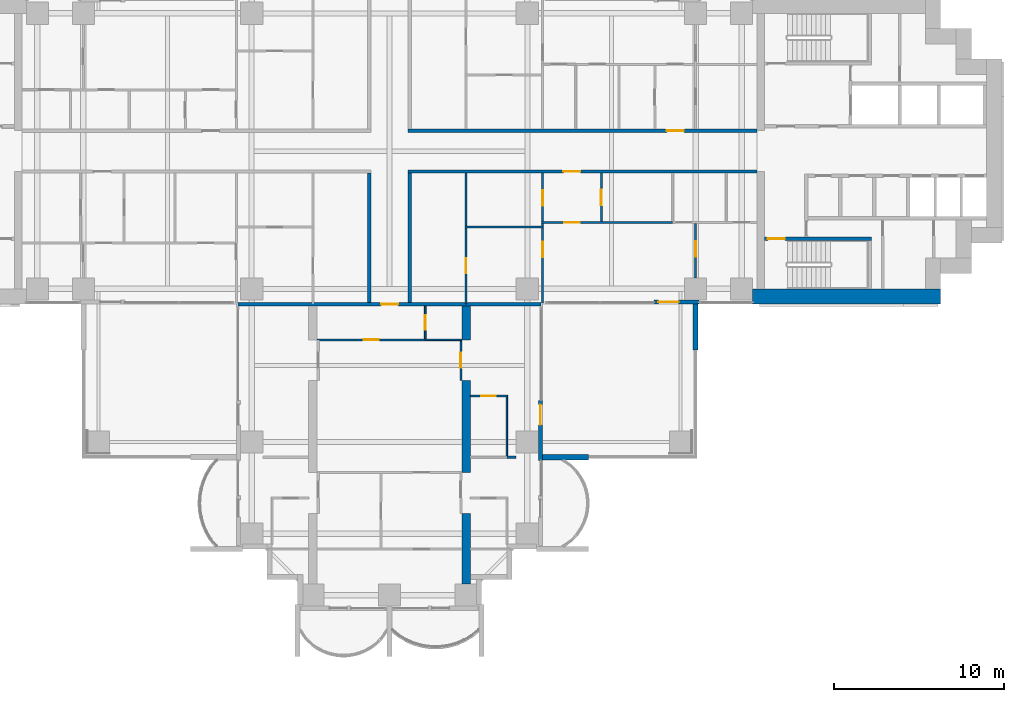
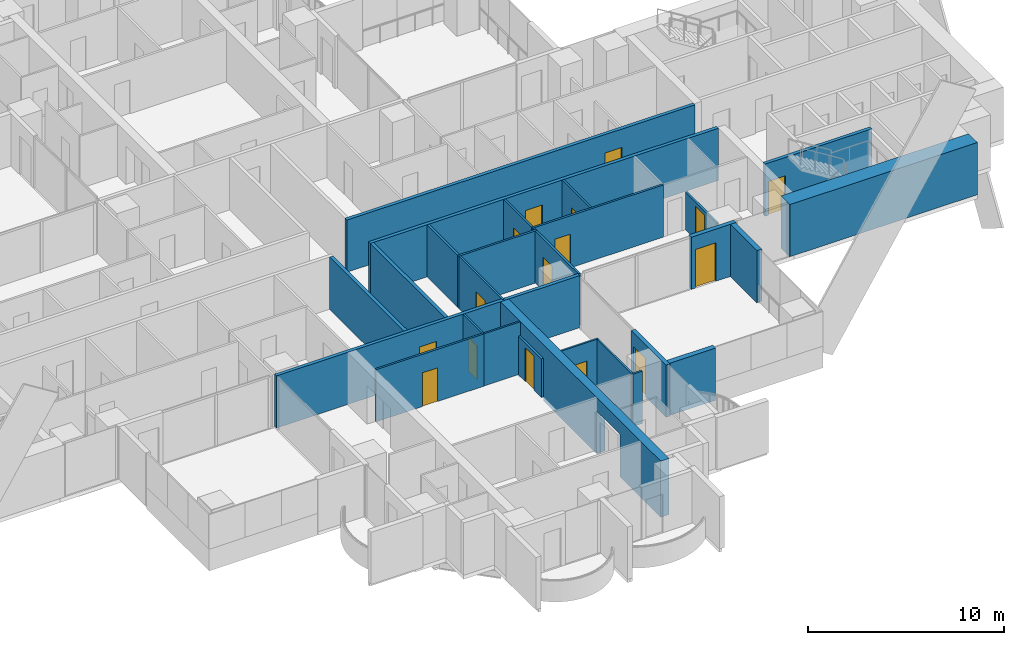
# One storey, part 13 of 23: 25 walls, 16 doors, 16 openings.
"""IFC4 building model written with IfcOpenShell, lengths in metres."""

from ifc_helpers import new_model, si_unit, direction, frame, frame_2d, origin, place, context, subcontext, project, spatial, polyline, rectangle, outline, extrude, material, layer, layer_set, material_profile, profile_set, type_object, element, fill, save


model = new_model("IFC4")

# Units and contexts
model_context = context("Model", 3, precision=1e-05, world=origin(), true_north=direction((0.0, 1.0)))
body_context = subcontext(model_context, "Body", "Model", "MODEL_VIEW")
ifc_project = project(units=[si_unit("LENGTHUNIT", "METRE"), si_unit("AREAUNIT", "SQUARE_METRE"), si_unit("VOLUMEUNIT", "CUBIC_METRE"), si_unit("PLANEANGLEUNIT", "RADIAN"), si_unit("MASSUNIT", "GRAM", prefix="KILO")], contexts=[model_context])

# Site, building, storey
site_placement = place(None, origin())
site = spatial("IfcSite", under=ifc_project, at=site_placement, CompositionType="ELEMENT")
building_placement = place(site_placement, origin())
building = spatial("IfcBuilding", under=site, at=building_placement, Name="Perihelion Cross Residences", CompositionType="ELEMENT")
storey_placement = place(building_placement, frame((0.0, 0.0, 85.5)))
storey = spatial("IfcBuildingStorey", under=building, at=storey_placement, Name="L19", CompositionType="ELEMENT", Elevation=85.5)

# Wall, opening, door
ifc_material_1 = material(Name="Plasterboard partition")
ifc_layer_1 = layer(ifc_material_1, 0.199951171875)
ifc_layer_set_1 = layer_set([ifc_layer_1], Name="Apartment separation wall 200")
wall_type_1 = type_object("IfcWallType", Name="Apartment separation wall 200", PredefinedType="PARTITIONING", material=ifc_layer_set_1)
wall_1_placement = place(storey_placement, frame((1.10009765625, 1.199951171875, 0.0), z_axis=(0.0, 0.0, 1.0), x_axis=(1.0, 0.0, 0.0)))
wall_1 = element("IfcWall", 1, at=wall_1_placement, inside=storey, type_object=wall_type_1, Name="Partition L19 W001", PredefinedType="PARTITIONING", context=body_context, shape_type="SweptSolid", body=[
    extrude(rectangle(XDim=20.5, YDim=0.199951171875, at=frame_2d((10.25, 0.0))), origin(), (0.0, 0.0, 1.0), 3.25),
])
opening_1_placement = place(wall_1_placement, frame((15.199951171875, 0.0, 0.0)))
opening_1 = element("IfcOpeningElement", 2, at=opening_1_placement, cuts=wall_1, Name="Opening L19.A53", PredefinedType="OPENING", context=body_context, shape_type="SweptSolid", body=[
    extrude(rectangle(XDim=1.0, YDim=2.10009765625, at=frame_2d((0.5, 1.050048828125))), frame((0.0, 0.10986328125, 0.0), z_axis=(0.0, -1.0, 0.0), x_axis=(1.0, 0.0, 0.0)), (0.0, 0.0, 1.0), 0.219970703125),
])
ifc_material_2 = material(Name="Timber door leaf", Category="wood")
door_type_1 = type_object("IfcDoorType", Name="Flat entrance door 1000 x 2100", OperationType="SINGLE_SWING_LEFT", PredefinedType="DOOR", material=ifc_material_2)
door_1_placement = place(opening_1_placement, origin())
door_1 = element("IfcDoor", 3, at=door_1_placement, inside=storey, type_object=door_type_1, Name="Door L19.A53", OperationType="SINGLE_SWING_LEFT", OverallHeight=2.10009765625, OverallWidth=1.0, PredefinedType="DOOR", context=body_context, shape_type="SweptSolid", body=[
    extrude(rectangle(XDim=1.0, YDim=2.10009765625, at=frame_2d((0.5, 1.050048828125))), frame((0.0, 0.02490234375, 0.0), z_axis=(0.0, -1.0, 0.0), x_axis=(1.0, 0.0, 0.0)), (0.0, 0.0, 1.0), 0.050048828125),
])
fill(opening_1, door_1)

wall_2_placement = place(storey_placement, frame((21.60009765625, -1.199951171875, 0.0), z_axis=(0.0, 0.0, 1.0), x_axis=(-1.0, 0.0, 0.0)))
wall_2 = element("IfcWall", 4, at=wall_2_placement, inside=storey, type_object=wall_type_1, Name="Partition L19 W003", PredefinedType="PARTITIONING", context=body_context, shape_type="SweptSolid", body=[
    extrude(rectangle(XDim=20.5, YDim=0.199951171875, at=frame_2d((10.25, 0.0))), origin(), (0.0, 0.0, 1.0), 3.25),
])
opening_2_placement = place(wall_2_placement, frame((10.375, 0.0, 0.0)))
opening_2 = element("IfcOpeningElement", 5, at=opening_2_placement, cuts=wall_2, Name="Opening L19.A54", PredefinedType="OPENING", context=body_context, shape_type="SweptSolid", body=[
    extrude(rectangle(XDim=1.0, YDim=2.10009765625, at=frame_2d((0.5, 1.050048828125))), frame((0.0, 0.10986328125, 0.0), z_axis=(0.0, -1.0, 0.0), x_axis=(1.0, 0.0, 0.0)), (0.0, 0.0, 1.0), 0.219970703125),
])
door_2_placement = place(opening_2_placement, origin())
door_2 = element("IfcDoor", 6, at=door_2_placement, inside=storey, type_object=door_type_1, Name="Door L19.A54", OperationType="SINGLE_SWING_RIGHT", OverallHeight=2.10009765625, OverallWidth=1.0, PredefinedType="DOOR", context=body_context, shape_type="SweptSolid", body=[
    extrude(rectangle(XDim=1.0, YDim=2.10009765625, at=frame_2d((0.5, 1.050048828125))), frame((0.0, 0.02490234375, 0.0), z_axis=(0.0, -1.0, 0.0), x_axis=(1.0, 0.0, 0.0)), (0.0, 0.0, 1.0), 0.050048828125),
])
fill(opening_2, door_2)

# Walls
for number, where, z_axis, x_axis, name in (
    (7, (1.199951171875, -1.300048828125, 0.0), (0.0, 0.0, 1.0), (0.0, -1.0, 0.0), "Partition L19 W004"),
    (8, (-1.199951171875, -8.89990234375, 0.0), (0.0, 0.0, 1.0), (0.0, 1.0, 0.0), "Partition L19 W008"),
):
    element("IfcWall", number, at=place(storey_placement, frame(where, z_axis=z_axis, x_axis=x_axis)), inside=storey, type_object=wall_type_1, Name=name, PredefinedType="PARTITIONING", context=body_context, shape_type="SweptSolid", body=[
        extrude(rectangle(XDim=7.599853515625, YDim=0.199951171875, at=frame_2d((3.7998046875, 0.0))), origin(), (0.0, 0.0, 1.0), 3.25),
    ])

# Wall, opening, door
wall_3_placement = place(storey_placement, frame((8.919921875, -9.0, 0.0), z_axis=(0.0, 0.0, 1.0), x_axis=(-1.0, 0.0, 0.0)))
wall_3 = element("IfcWall", 9, at=wall_3_placement, inside=storey, type_object=wall_type_1, Name="Partition L19 W010", PredefinedType="PARTITIONING", context=body_context, shape_type="SweptSolid", body=[
    extrude(rectangle(XDim=17.83984375, YDim=0.199951171875, at=frame_2d((8.919921875, 0.0))), origin(), (0.0, 0.0, 1.0), 3.25),
])
opening_3_placement = place(wall_3_placement, frame((8.419921875, 0.0, 0.0)))
opening_3 = element("IfcOpeningElement", 10, at=opening_3_placement, cuts=wall_3, Name="Opening L19.A44", PredefinedType="OPENING", context=body_context, shape_type="SweptSolid", body=[
    extrude(rectangle(XDim=1.0, YDim=2.10009765625, at=frame_2d((0.5, 1.050048828125))), frame((0.0, 0.10986328125, 0.0), z_axis=(0.0, -1.0, 0.0), x_axis=(1.0, 0.0, 0.0)), (0.0, 0.0, 1.0), 0.219970703125),
])
door_3_placement = place(opening_3_placement, origin())
door_3 = element("IfcDoor", 11, at=door_3_placement, inside=storey, type_object=door_type_1, Name="Door L19.A44", OperationType="SINGLE_SWING_RIGHT", OverallHeight=2.10009765625, OverallWidth=1.0, PredefinedType="DOOR", context=body_context, shape_type="SweptSolid", body=[
    extrude(rectangle(XDim=1.0, YDim=2.10009765625, at=frame_2d((0.5, 1.050048828125))), frame((0.0, 0.02490234375, 0.0), z_axis=(0.0, -1.0, 0.0), x_axis=(1.0, 0.0, 0.0)), (0.0, 0.0, 1.0), 0.050048828125),
])
fill(opening_3, door_3)

ifc_material_3 = material(Name="Concrete C30/37, bronze-clad", Category="concrete")
ifc_layer_2 = layer(ifc_material_3, 0.25)
ifc_layer_set_2 = layer_set([ifc_layer_2], Name="Bronze-clad pier wall 250")
wall_type_2 = type_object("IfcWallType", Name="Bronze-clad pier wall 250", PredefinedType="SOLIDWALL", material=ifc_layer_set_2)
wall_4_placement = place(storey_placement, frame((8.875, -18.199951171875, 0.0), z_axis=(0.0, 0.0, 1.0), x_axis=(0.0, 1.0, 0.0)))
wall_4 = element("IfcWall", 12, at=wall_4_placement, inside=storey, type_object=wall_type_2, Name="Wall FW1 L19 south side east bay 2 pier", PredefinedType="SOLIDWALL", context=body_context, shape_type="SweptSolid", body=[
    extrude(rectangle(XDim=3.550048828125, YDim=0.25, at=frame_2d((1.77490234375, 0.0))), origin(), (0.0, 0.0, 1.0), 3.25),
])
opening_4_placement = place(wall_4_placement, frame((2.10009765625, 0.0, 0.0)))
opening_4 = element("IfcOpeningElement", 13, at=opening_4_placement, cuts=wall_4, Name="Opening L19.E15", PredefinedType="OPENING", context=body_context, shape_type="SweptSolid", body=[
    extrude(rectangle(XDim=1.199951171875, YDim=2.39990234375, at=frame_2d((0.60009765625, 1.199951171875))), frame((0.0, 0.135009765625, 0.0), z_axis=(0.0, -1.0, 0.0), x_axis=(1.0, 0.0, 0.0)), (0.0, 0.0, 1.0), 0.27001953125),
])
ifc_material_4 = material(Name="Bronze anodised aluminium, glazed", Category="aluminium")
door_type_2 = type_object("IfcDoorType", Name="Balcony door 1200 x 2400", OperationType="NOTDEFINED", PredefinedType="DOOR", material=ifc_material_4)
door_4_placement = place(opening_4_placement, origin())
door_4 = element("IfcDoor", 14, at=door_4_placement, inside=storey, type_object=door_type_2, Name="Door L19.E15 south side east bay 2", OperationType="SINGLE_SWING_RIGHT", OverallHeight=2.39990234375, OverallWidth=1.199951171875, PredefinedType="DOOR", context=body_context, shape_type="SweptSolid", body=[
    extrude(rectangle(XDim=1.199951171875, YDim=2.39990234375, at=frame_2d((0.60009765625, 1.199951171875))), frame((0.0, 0.02490234375, 0.0), z_axis=(0.0, -1.0, 0.0), x_axis=(1.0, 0.0, 0.0)), (0.0, 0.0, 1.0), 0.050048828125),
])
fill(opening_4, door_4)

wall_5_placement = place(storey_placement, frame((15.550048828125, -8.875, 0.0), z_axis=(0.0, 0.0, 1.0), x_axis=(1.0, 0.0, 0.0)))
wall_5 = element("IfcWall", 15, at=wall_5_placement, inside=storey, type_object=wall_type_2, Name="Wall FW1 L19 east side south bay 1 pier", PredefinedType="SOLIDWALL", context=body_context, shape_type="SweptSolid", body=[
    extrude(rectangle(XDim=2.64990234375, YDim=0.25, at=frame_2d((1.324951171875, 0.0))), origin(), (0.0, 0.0, 1.0), 3.25),
])
opening_5_placement = place(wall_5_placement, frame((0.25, 0.0, 0.0)))
opening_5 = element("IfcOpeningElement", 16, at=opening_5_placement, cuts=wall_5, Name="Opening L19.E16", PredefinedType="OPENING", context=body_context, shape_type="SweptSolid", body=[
    extrude(rectangle(XDim=1.199951171875, YDim=2.39990234375, at=frame_2d((0.60009765625, 1.199951171875))), frame((0.0, 0.135009765625, 0.0), z_axis=(0.0, -1.0, 0.0), x_axis=(1.0, 0.0, 0.0)), (0.0, 0.0, 1.0), 0.27001953125),
])
door_5_placement = place(opening_5_placement, origin())
door_5 = element("IfcDoor", 17, at=door_5_placement, inside=storey, type_object=door_type_2, Name="Door L19.E16 east side south bay 1", OperationType="SINGLE_SWING_LEFT", OverallHeight=2.39990234375, OverallWidth=1.199951171875, PredefinedType="DOOR", context=body_context, shape_type="SweptSolid", body=[
    extrude(rectangle(XDim=1.199951171875, YDim=2.39990234375, at=frame_2d((0.60009765625, 1.199951171875))), frame((0.0, 0.02490234375, 0.0), z_axis=(0.0, -1.0, 0.0), x_axis=(1.0, 0.0, 0.0)), (0.0, 0.0, 1.0), 0.050048828125),
])
fill(opening_5, door_5)

# Wall
ifc_material_5 = material(Name="Concrete C60/75", Category="concrete")
ifc_layer_3 = layer(ifc_material_5, 0.89990234375)
ifc_layer_set_3 = layer_set([ifc_layer_3], Name="Core wall, outer 900")
wall_type_3 = type_object("IfcWallType", Name="Core wall, outer 900", PredefinedType="SHEAR", material=ifc_layer_set_3)
wall_6_placement = place(storey_placement, frame((21.35009765625, -8.550048828125, 0.0), z_axis=(0.0, 0.0, 1.0), x_axis=(1.0, 0.0, 0.0)))
element("IfcWall", 18, at=wall_6_placement, inside=storey, type_object=wall_type_3, Name="East core core wall, outer", PredefinedType="SHEAR", context=body_context, shape_type="SweptSolid", body=[
    extrude(rectangle(XDim=11.0498046875, YDim=0.89990234375, at=frame_2d((5.52490234375, 0.0))), origin(), (0.0, 0.0, 1.0), 3.25),
])

# Wall, opening, door
ifc_material_6 = material(Name="Plasterboard partition")
ifc_layer_4 = layer(ifc_material_6, 0.1201171875)
ifc_layer_set_4 = layer_set([ifc_layer_4], Name="Infill panel 120")
wall_type_4 = type_object("IfcWallType", Name="Infill panel 120", PredefinedType="PARTITIONING", material=ifc_layer_set_4)
wall_7_placement = place(storey_placement, frame((4.18994140625, -11.10009765625, 0.0), z_axis=(0.0, 0.0, 1.0), x_axis=(0.0, -1.0, 0.0)))
wall_7 = element("IfcWall", 19, at=wall_7_placement, inside=storey, type_object=wall_type_4, Name="Partition L19 WI05", PredefinedType="PARTITIONING", context=body_context, shape_type="SweptSolid", body=[
    extrude(rectangle(XDim=2.39990234375, YDim=0.1201171875, at=frame_2d((1.199951171875, 0.0))), origin(), (0.0, 0.0, 1.0), 2.39990234375),
])
opening_6_placement = place(wall_7_placement, frame((0.75, 0.0, 0.0)))
opening_6 = element("IfcOpeningElement", 20, at=opening_6_placement, cuts=wall_7, Name="Opening L19.A61", PredefinedType="OPENING", context=body_context, shape_type="SweptSolid", body=[
    extrude(rectangle(XDim=0.89990234375, YDim=2.10009765625, at=frame_2d((0.449951171875, 1.050048828125))), frame((0.0, 0.070068359375, 0.0), z_axis=(0.0, -1.0, 0.0), x_axis=(1.0, 0.0, 0.0)), (0.0, 0.0, 1.0), 0.14013671875),
])
ifc_material_7 = material(Name="Timber door leaf", Category="wood")
door_type_3 = type_object("IfcDoorType", Name="Interior room door 900 x 2100", OperationType="SINGLE_SWING_LEFT", PredefinedType="DOOR", material=ifc_material_7)
door_6_placement = place(opening_6_placement, origin())
door_6 = element("IfcDoor", 21, at=door_6_placement, inside=storey, type_object=door_type_3, Name="Door L19.A61", OperationType="SINGLE_SWING_RIGHT", OverallHeight=2.10009765625, OverallWidth=0.89990234375, PredefinedType="DOOR", context=body_context, shape_type="SweptSolid", body=[
    extrude(rectangle(XDim=0.89990234375, YDim=2.10009765625, at=frame_2d((0.449951171875, 1.050048828125))), frame((0.0, 0.02490234375, 0.0), z_axis=(0.0, -1.0, 0.0), x_axis=(1.0, 0.0, 0.0)), (0.0, 0.0, 1.0), 0.050048828125),
])
fill(opening_6, door_6)

ifc_material_8 = material(Name="Plasterboard partition")
ifc_layer_5 = layer(ifc_material_8, 0.1201171875)
ifc_layer_set_5 = layer_set([ifc_layer_5], Name="Partition wall 120")
wall_type_5 = type_object("IfcWallType", Name="Partition wall 120", PredefinedType="PARTITIONING", material=ifc_layer_set_5)
wall_8_placement = place(storey_placement, frame((12.449951171875, -1.300048828125, 0.0), z_axis=(0.0, 0.0, 1.0), x_axis=(0.0, -1.0, 0.0)))
wall_8 = element("IfcWall", 22, at=wall_8_placement, inside=storey, type_object=wall_type_5, Name="Partition L19 W021", PredefinedType="PARTITIONING", context=body_context, shape_type="SweptSolid", body=[
    extrude(rectangle(XDim=2.83984375, YDim=0.1201171875, at=frame_2d((1.419921875, 0.0))), origin(), (0.0, 0.0, 1.0), 3.25),
])
opening_7_placement = place(wall_8_placement, frame((0.969970703125, 0.0, 0.0)))
opening_7 = element("IfcOpeningElement", 23, at=opening_7_placement, cuts=wall_8, Name="Opening L19.A12", PredefinedType="OPENING", context=body_context, shape_type="SweptSolid", body=[
    extrude(rectangle(XDim=0.89990234375, YDim=2.10009765625, at=frame_2d((0.449951171875, 1.050048828125))), frame((0.0, 0.070068359375, 0.0), z_axis=(0.0, -1.0, 0.0), x_axis=(1.0, 0.0, 0.0)), (0.0, 0.0, 1.0), 0.14013671875),
])
door_7_placement = place(opening_7_placement, origin())
door_7 = element("IfcDoor", 24, at=door_7_placement, inside=storey, type_object=door_type_3, Name="Door L19.A12", OperationType="SINGLE_SWING_RIGHT", OverallHeight=2.10009765625, OverallWidth=0.89990234375, PredefinedType="DOOR", context=body_context, shape_type="SweptSolid", body=[
    extrude(rectangle(XDim=0.89990234375, YDim=2.10009765625, at=frame_2d((0.449951171875, 1.050048828125))), frame((0.0, 0.02490234375, 0.0), z_axis=(0.0, -1.0, 0.0), x_axis=(1.0, 0.0, 0.0)), (0.0, 0.0, 1.0), 0.050048828125),
])
fill(opening_7, door_7)

wall_9_placement = place(storey_placement, frame((16.64990234375, -4.199951171875, 0.0), z_axis=(0.0, 0.0, 1.0), x_axis=(-1.0, 0.0, 0.0)))
wall_9 = element("IfcWall", 25, at=wall_9_placement, inside=storey, type_object=wall_type_5, Name="Partition L19 W022", PredefinedType="PARTITIONING", context=body_context, shape_type="SweptSolid", body=[
    extrude(rectangle(XDim=7.7099609375, YDim=0.1201171875, at=frame_2d((3.85498046875, 0.0))), origin(), (0.0, 0.0, 1.0), 3.25),
])
opening_8_placement = place(wall_9_placement, frame((5.47509765625, 0.0, 0.0)))
opening_8 = element("IfcOpeningElement", 26, at=opening_8_placement, cuts=wall_9, Name="Opening L19.A15", PredefinedType="OPENING", context=body_context, shape_type="SweptSolid", body=[
    extrude(rectangle(XDim=0.89990234375, YDim=2.10009765625, at=frame_2d((0.449951171875, 1.050048828125))), frame((0.0, 0.070068359375, 0.0), z_axis=(0.0, -1.0, 0.0), x_axis=(1.0, 0.0, 0.0)), (0.0, 0.0, 1.0), 0.14013671875),
])
door_8_placement = place(opening_8_placement, origin())
door_8 = element("IfcDoor", 27, at=door_8_placement, inside=storey, type_object=door_type_3, Name="Door L19.A15", OperationType="SINGLE_SWING_LEFT", OverallHeight=2.10009765625, OverallWidth=0.89990234375, PredefinedType="DOOR", context=body_context, shape_type="SweptSolid", body=[
    extrude(rectangle(XDim=0.89990234375, YDim=2.10009765625, at=frame_2d((0.449951171875, 1.050048828125))), frame((0.0, 0.02490234375, 0.0), z_axis=(0.0, -1.0, 0.0), x_axis=(1.0, 0.0, 0.0)), (0.0, 0.0, 1.0), 0.050048828125),
])
fill(opening_8, door_8)

# Wall, openings, doors
wall_10_placement = place(storey_placement, frame((9.0, -8.919921875, 0.0), z_axis=(0.0, 0.0, 1.0), x_axis=(0.0, 1.0, 0.0)))
wall_10 = element("IfcWall", 28, at=wall_10_placement, inside=storey, type_object=wall_type_5, Name="Partition L19 W023", PredefinedType="PARTITIONING", context=body_context, shape_type="SweptSolid", body=[
    extrude(rectangle(XDim=7.619873046875, YDim=0.1201171875, at=frame_2d((3.81005859375, 0.0))), origin(), (0.0, 0.0, 1.0), 3.25),
])
opening_9_placement = place(wall_10_placement, frame((5.719970703125, 0.0, 0.0)))
opening_9 = element("IfcOpeningElement", 29, at=opening_9_placement, cuts=wall_10, Name="Opening L19.A13", PredefinedType="OPENING", context=body_context, shape_type="SweptSolid", body=[
    extrude(rectangle(XDim=0.89990234375, YDim=2.10009765625, at=frame_2d((0.449951171875, 1.050048828125))), frame((0.0, 0.070068359375, 0.0), z_axis=(0.0, -1.0, 0.0), x_axis=(1.0, 0.0, 0.0)), (0.0, 0.0, 1.0), 0.14013671875),
])
opening_10_placement = place(wall_10_placement, frame((2.681884765625, 0.0, 0.0)))
opening_10 = element("IfcOpeningElement", 30, at=opening_10_placement, cuts=wall_10, Name="Opening L19.A16", PredefinedType="OPENING", context=body_context, shape_type="SweptSolid", body=[
    extrude(rectangle(XDim=0.89990234375, YDim=2.10009765625, at=frame_2d((0.449951171875, 1.050048828125))), frame((0.0, 0.070068359375, 0.0), z_axis=(0.0, -1.0, 0.0), x_axis=(1.0, 0.0, 0.0)), (0.0, 0.0, 1.0), 0.14013671875),
])
door_9_placement = place(opening_9_placement, origin())
door_9 = element("IfcDoor", 31, at=door_9_placement, inside=storey, type_object=door_type_3, Name="Door L19.A13", OperationType="SINGLE_SWING_LEFT", OverallHeight=2.10009765625, OverallWidth=0.89990234375, PredefinedType="DOOR", context=body_context, shape_type="SweptSolid", body=[
    extrude(rectangle(XDim=0.89990234375, YDim=2.10009765625, at=frame_2d((0.449951171875, 1.050048828125))), frame((0.0, 0.02490234375, 0.0), z_axis=(0.0, -1.0, 0.0), x_axis=(1.0, 0.0, 0.0)), (0.0, 0.0, 1.0), 0.050048828125),
])
fill(opening_9, door_9)
door_10_placement = place(opening_10_placement, origin())
door_10 = element("IfcDoor", 32, at=door_10_placement, inside=storey, type_object=door_type_3, Name="Door L19.A16", OperationType="SINGLE_SWING_RIGHT", OverallHeight=2.10009765625, OverallWidth=0.89990234375, PredefinedType="DOOR", context=body_context, shape_type="SweptSolid", body=[
    extrude(rectangle(XDim=0.89990234375, YDim=2.10009765625, at=frame_2d((0.449951171875, 1.050048828125))), frame((0.0, 0.02490234375, 0.0), z_axis=(0.0, -1.0, 0.0), x_axis=(1.0, 0.0, 0.0)), (0.0, 0.0, 1.0), 0.050048828125),
])
fill(opening_10, door_10)

# Wall, opening, door
wall_11_placement = place(storey_placement, frame((18.0, -4.25, 0.0), z_axis=(0.0, 0.0, 1.0), x_axis=(0.0, -1.0, 0.0)))
wall_11 = element("IfcWall", 33, at=wall_11_placement, inside=storey, type_object=wall_type_5, Name="Partition L19 W028", PredefinedType="PARTITIONING", context=body_context, shape_type="SweptSolid", body=[
    extrude(rectangle(XDim=3.199951171875, YDim=0.1201171875, at=frame_2d((1.60009765625, 0.0))), origin(), (0.0, 0.0, 1.0), 2.345947265625),
])
opening_11_placement = place(wall_11_placement, frame((1.050048828125, 0.0, 0.0)))
opening_11 = element("IfcOpeningElement", 34, at=opening_11_placement, cuts=wall_11, Name="Opening L19.A11", PredefinedType="OPENING", context=body_context, shape_type="SweptSolid", body=[
    extrude(rectangle(XDim=0.89990234375, YDim=2.10009765625, at=frame_2d((0.449951171875, 1.050048828125))), frame((0.0, 0.070068359375, 0.0), z_axis=(0.0, -1.0, 0.0), x_axis=(1.0, 0.0, 0.0)), (0.0, 0.0, 1.0), 0.14013671875),
])
door_11_placement = place(opening_11_placement, origin())
door_11 = element("IfcDoor", 35, at=door_11_placement, inside=storey, type_object=door_type_3, Name="Door L19.A11", OperationType="SINGLE_SWING_RIGHT", OverallHeight=2.10009765625, OverallWidth=0.89990234375, PredefinedType="DOOR", context=body_context, shape_type="SweptSolid", body=[
    extrude(rectangle(XDim=0.89990234375, YDim=2.10009765625, at=frame_2d((0.449951171875, 1.050048828125))), frame((0.0, 0.02490234375, 0.0), z_axis=(0.0, -1.0, 0.0), x_axis=(1.0, 0.0, 0.0)), (0.0, 0.0, 1.0), 0.050048828125),
])
fill(opening_11, door_11)

# Wall
wall_12_placement = place(storey_placement, frame((9.06005859375, -4.47607421875, 0.0), z_axis=(0.0, 0.0, 1.0), x_axis=(-1.0, 0.0, 0.0)))
element("IfcWall", 36, at=wall_12_placement, inside=storey, type_object=wall_type_5, Name="Partition L19 W029", PredefinedType="PARTITIONING", context=body_context, shape_type="SweptSolid", body=[
    extrude(rectangle(XDim=4.6201171875, YDim=0.1201171875, at=frame_2d((2.31005859375, 0.0))), origin(), (0.0, 0.0, 1.0), 3.25),
])

# Wall, opening, door
wall_13_placement = place(storey_placement, frame((4.5, -9.0, 0.0), z_axis=(0.0, 0.0, 1.0), x_axis=(0.0, 1.0, 0.0)))
wall_13 = element("IfcWall", 37, at=wall_13_placement, inside=storey, type_object=wall_type_5, Name="Partition L19 W030", PredefinedType="PARTITIONING", context=body_context, shape_type="SweptSolid", body=[
    extrude(rectangle(XDim=7.699951171875, YDim=0.1201171875, at=frame_2d((3.85009765625, 0.0))), origin(), (0.0, 0.0, 1.0), 3.25),
])
opening_12_placement = place(wall_13_placement, frame((1.81201171875, 0.0, 0.0)))
opening_12 = element("IfcOpeningElement", 38, at=opening_12_placement, cuts=wall_13, Name="Opening L19.A14", PredefinedType="OPENING", context=body_context, shape_type="SweptSolid", body=[
    extrude(rectangle(XDim=0.89990234375, YDim=2.10009765625, at=frame_2d((0.449951171875, 1.050048828125))), frame((0.0, 0.070068359375, 0.0), z_axis=(0.0, -1.0, 0.0), x_axis=(1.0, 0.0, 0.0)), (0.0, 0.0, 1.0), 0.14013671875),
])
door_12_placement = place(opening_12_placement, origin())
door_12 = element("IfcDoor", 39, at=door_12_placement, inside=storey, type_object=door_type_3, Name="Door L19.A14", OperationType="SINGLE_SWING_LEFT", OverallHeight=2.10009765625, OverallWidth=0.89990234375, PredefinedType="DOOR", context=body_context, shape_type="SweptSolid", body=[
    extrude(rectangle(XDim=0.89990234375, YDim=2.10009765625, at=frame_2d((0.449951171875, 1.050048828125))), frame((0.0, 0.02490234375, 0.0), z_axis=(0.0, -1.0, 0.0), x_axis=(1.0, 0.0, 0.0)), (0.0, 0.0, 1.0), 0.050048828125),
])
fill(opening_12, door_12)

wall_14_placement = place(storey_placement, frame((2.10009765625, -11.10009765625, 0.0), z_axis=(0.0, 0.0, 1.0), x_axis=(-1.0, 0.0, 0.0)))
wall_14 = element("IfcWall", 40, at=wall_14_placement, inside=storey, type_object=wall_type_5, Name="Partition L19 W070", PredefinedType="PARTITIONING", context=body_context, shape_type="SweptSolid", body=[
    extrude(rectangle(XDim=6.35009765625, YDim=0.1201171875, at=frame_2d((3.175048828125, 0.0))), origin(), (0.0, 0.0, 1.0), 3.25),
])
opening_13_placement = place(wall_14_placement, frame((2.72509765625, 0.0, 0.0)))
opening_13 = element("IfcOpeningElement", 41, at=opening_13_placement, cuts=wall_14, Name="Opening L19.A46", PredefinedType="OPENING", context=body_context, shape_type="SweptSolid", body=[
    extrude(rectangle(XDim=0.89990234375, YDim=2.10009765625, at=frame_2d((0.449951171875, 1.050048828125))), frame((0.0, 0.070068359375, 0.0), z_axis=(0.0, -1.0, 0.0), x_axis=(1.0, 0.0, 0.0)), (0.0, 0.0, 1.0), 0.14013671875),
])
door_13_placement = place(opening_13_placement, origin())
door_13 = element("IfcDoor", 42, at=door_13_placement, inside=storey, type_object=door_type_3, Name="Door L19.A46", OperationType="SINGLE_SWING_RIGHT", OverallHeight=2.10009765625, OverallWidth=0.89990234375, PredefinedType="DOOR", context=body_context, shape_type="SweptSolid", body=[
    extrude(rectangle(XDim=0.89990234375, YDim=2.10009765625, at=frame_2d((0.449951171875, 1.050048828125))), frame((0.0, 0.02490234375, 0.0), z_axis=(0.0, -1.0, 0.0), x_axis=(1.0, 0.0, 0.0)), (0.0, 0.0, 1.0), 0.050048828125),
])
fill(opening_13, door_13)

# Walls
wall_15_placement = place(storey_placement, frame((7.449951171875, -18.0, 0.0), z_axis=(0.0, 0.0, 1.0), x_axis=(-1.0, 0.0, 0.0)))
element("IfcWall", 43, at=wall_15_placement, inside=storey, type_object=wall_type_5, Name="Partition L19 W077", PredefinedType="PARTITIONING", context=body_context, shape_type="SweptSolid", body=[
    extrude(rectangle(XDim=0.550048828125, YDim=0.1201171875, at=frame_2d((0.27490234375, 0.0))), origin(), (0.0, 0.0, 1.0), 3.25),
])
ifc_material_9 = material(Name="Precast concrete C50/60", Category="concrete")
ifc_layer_6 = layer(ifc_material_9, 0.300048828125)
ifc_layer_set_6 = layer_set([ifc_layer_6], Name="Precast concrete C50/60 blade wall 300")
wall_type_6 = type_object("IfcWallType", Name="Precast concrete C50/60 blade wall 300", PredefinedType="SOLIDWALL", material=ifc_layer_set_6)
wall_16_placement = place(storey_placement, frame((9.0, -18.0, 0.0), z_axis=(0.0, 0.0, 1.0), x_axis=(1.0, 0.0, 0.0)))
element("IfcWall", 44, at=wall_16_placement, inside=storey, type_object=wall_type_6, Name="Wall BL1 L19 no. 15", PredefinedType="SOLIDWALL", context=body_context, shape_type="SweptSolid", body=[
    extrude(rectangle(XDim=2.699951171875, YDim=0.300048828125, at=frame_2d((1.35009765625, 0.0))), origin(), (0.0, 0.0, 1.0), 3.25),
])
wall_17_placement = place(storey_placement, frame((18.0, -8.75, 0.0), z_axis=(0.0, 0.0, 1.0), x_axis=(0.0, -1.0, 0.0)))
element("IfcWall", 45, at=wall_17_placement, inside=storey, type_object=wall_type_6, Name="Wall BL1 L19 no. 11", PredefinedType="SOLIDWALL", context=body_context, shape_type="SweptSolid", body=[
    extrude(rectangle(XDim=2.949951171875, YDim=0.300048828125, at=frame_2d((1.47509765625, 0.0))), origin(), (0.0, 0.0, 1.0), 3.25),
])

# Wall, opening, door
ifc_material_10 = material(Name="Concrete C50/60", Category="concrete")
ifc_layer_7 = layer(ifc_material_10, 0.199951171875)
ifc_layer_set_7 = layer_set([ifc_layer_7], Name="Stair wall 200")
wall_type_7 = type_object("IfcWallType", Name="Stair wall 200", PredefinedType="SOLIDWALL", material=ifc_layer_set_7)
wall_18_placement = place(storey_placement, frame((22.050048828125, -5.14990234375, 0.0), z_axis=(0.0, 0.0, 1.0), x_axis=(1.0, 0.0, 0.0)))
wall_18 = element("IfcWall", 46, at=wall_18_placement, inside=storey, type_object=wall_type_7, Name="East core stair wall", PredefinedType="SOLIDWALL", context=body_context, shape_type="SweptSolid", body=[
    extrude(rectangle(XDim=6.300048828125, YDim=0.199951171875, at=frame_2d((3.14990234375, 0.0))), origin(), (0.0, 0.0, 1.0), 3.25),
])
opening_14_placement = place(wall_18_placement, frame((0.199951171875, 0.0, 0.0)))
opening_14 = element("IfcOpeningElement", 47, at=opening_14_placement, cuts=wall_18, Name="Opening L19.C05", PredefinedType="OPENING", context=body_context, shape_type="SweptSolid", body=[
    extrude(rectangle(XDim=1.0, YDim=2.10009765625, at=frame_2d((0.5, 1.050048828125))), frame((0.0, 0.10986328125, 0.0), z_axis=(0.0, -1.0, 0.0), x_axis=(1.0, 0.0, 0.0)), (0.0, 0.0, 1.0), 0.219970703125),
])
ifc_material_11 = material(Name="Steel, powder coated", Category="steel")
door_type_4 = type_object("IfcDoorType", Name="Stair door 1000", OperationType="SINGLE_SWING_LEFT", PredefinedType="DOOR", material=ifc_material_11)
door_14_placement = place(opening_14_placement, origin())
door_14 = element("IfcDoor", 48, at=door_14_placement, inside=storey, type_object=door_type_4, Name="East core stair door", OperationType="SINGLE_SWING_LEFT", OverallHeight=2.10009765625, OverallWidth=1.0, PredefinedType="DOOR", context=body_context, shape_type="SweptSolid", body=[
    extrude(rectangle(XDim=1.0, YDim=2.10009765625, at=frame_2d((0.5, 1.050048828125))), frame((0.0, 0.02490234375, 0.0), z_axis=(0.0, -1.0, 0.0), x_axis=(1.0, 0.0, 0.0)), (0.0, 0.0, 1.0), 0.050048828125),
])
fill(opening_14, door_14)

# Wall
ifc_material_12 = material(Name="Concrete C60/75", Category="concrete")
ifc_material_profile = material_profile(ifc_material_12, outline(polyline([(0.0, 0.0), (4.14990234375, 0.0), (4.14990234375, 2.64990234375), (6.550048828125, 2.64990234375), (6.550048828125, 0.0), (11.949951171875, 0.0), (11.949951171875, 2.64990234375), (14.35009765625, 2.64990234375), (14.35009765625, 0.0), (16.449951171875, 0.0), (16.449951171875, 3.5), (0.0, 3.5), (0.0, 0.0)])), Name="Tip spine wall")
ifc_profile_set = profile_set([ifc_material_profile], Name="Concrete C60/75")
wall_type_8 = type_object("IfcWallType", Name="Tip spine wall 500 with 2 door openings 16450 long 3500 high concrete C60/75 hand A", PredefinedType="SHEAR", material=ifc_profile_set)
wall_19_placement = place(storey_placement, frame((4.25, -25.449951171875, -0.25), z_axis=(1.0, 0.0, 0.0), x_axis=(0.0, 1.0, 0.0)))
element("IfcWall", 49, at=wall_19_placement, inside=storey, type_object=wall_type_8, Name="Shear wall SW24 L19 south east", PredefinedType="SHEAR", context=body_context, shape_type="SweptSolid", body=[
    extrude(outline(polyline([(0.0, 0.0), (4.14990234375, 0.0), (4.14990234375, 2.64990234375), (6.550048828125, 2.64990234375), (6.550048828125, 0.0), (11.949951171875, 0.0), (11.949951171875, 2.64990234375), (14.35009765625, 2.64990234375), (14.35009765625, 0.0), (16.449951171875, 0.0), (16.449951171875, 3.5), (0.0, 3.5), (0.0, 0.0)])), origin(), (0.0, 0.0, 1.0), 0.5),
])

# Wall, opening, door
ifc_material_13 = material(Name="Plasterboard partition")
ifc_layer_8 = layer(ifc_material_13, 0.10009765625)
ifc_layer_set_8 = layer_set([ifc_layer_8], Name="Wet room wall 100")
wall_type_9 = type_object("IfcWallType", Name="Wet room wall 100", PredefinedType="PARTITIONING", material=ifc_layer_set_8)
wall_20_placement = place(storey_placement, frame((2.10009765625, -9.10009765625, 0.0), z_axis=(0.0, 0.0, 1.0), x_axis=(0.0, -1.0, 0.0)))
wall_20 = element("IfcWall", 50, at=wall_20_placement, inside=storey, type_object=wall_type_9, Name="Partition L19 W069", PredefinedType="PARTITIONING", context=body_context, shape_type="SweptSolid", body=[
    extrude(rectangle(XDim=1.93994140625, YDim=0.10009765625, at=frame_2d((0.969970703125, 0.0))), origin(), (0.0, 0.0, 1.0), 3.25),
])
opening_15_placement = place(wall_20_placement, frame((0.544921875, 0.0, 0.0)))
opening_15 = element("IfcOpeningElement", 51, at=opening_15_placement, cuts=wall_20, Name="Opening L19.A45", PredefinedType="OPENING", context=body_context, shape_type="SweptSolid", body=[
    extrude(rectangle(XDim=0.85009765625, YDim=2.10009765625, at=frame_2d((0.425048828125, 1.050048828125))), frame((0.0, 0.06005859375, 0.0), z_axis=(0.0, -1.0, 0.0), x_axis=(1.0, 0.0, 0.0)), (0.0, 0.0, 1.0), 0.1201171875),
])
ifc_material_14 = material(Name="Timber door leaf", Category="wood")
door_type_5 = type_object("IfcDoorType", Name="Interior bathroom door 850 x 2100", OperationType="SINGLE_SWING_LEFT", PredefinedType="DOOR", material=ifc_material_14)
door_15_placement = place(opening_15_placement, origin())
door_15 = element("IfcDoor", 52, at=door_15_placement, inside=storey, type_object=door_type_5, Name="Door L19.A45", OperationType="SINGLE_SWING_LEFT", OverallHeight=2.10009765625, OverallWidth=0.85009765625, PredefinedType="DOOR", context=body_context, shape_type="SweptSolid", body=[
    extrude(rectangle(XDim=0.85009765625, YDim=2.10009765625, at=frame_2d((0.425048828125, 1.050048828125))), frame((0.0, 0.02490234375, 0.0), z_axis=(0.0, -1.0, 0.0), x_axis=(1.0, 0.0, 0.0)), (0.0, 0.0, 1.0), 0.050048828125),
])
fill(opening_15, door_15)

# Walls
wall_21_placement = place(storey_placement, frame((4.25, -11.10009765625, 0.0), z_axis=(0.0, 0.0, 1.0), x_axis=(-1.0, 0.0, 0.0)))
element("IfcWall", 53, at=wall_21_placement, inside=storey, type_object=wall_type_9, Name="Partition L19 W071", PredefinedType="PARTITIONING", context=body_context, shape_type="SweptSolid", body=[
    extrude(rectangle(XDim=2.14990234375, YDim=0.10009765625, at=frame_2d((1.074951171875, 0.0))), origin(), (0.0, 0.0, 1.0), 3.25),
])
wall_22_placement = place(storey_placement, frame((6.89990234375, -17.93994140625, 0.0), z_axis=(0.0, 0.0, 1.0), x_axis=(0.0, 1.0, 0.0)))
element("IfcWall", 54, at=wall_22_placement, inside=storey, type_object=wall_type_9, Name="Partition L19 W075", PredefinedType="PARTITIONING", context=body_context, shape_type="SweptSolid", body=[
    extrude(rectangle(XDim=3.489990234375, YDim=0.10009765625, at=frame_2d((1.7451171875, 0.0))), origin(), (0.0, 0.0, 1.0), 3.25),
])

# Wall, opening, door
wall_23_placement = place(storey_placement, frame((6.949951171875, -14.39990234375, 0.0), z_axis=(0.0, 0.0, 1.0), x_axis=(-1.0, 0.0, 0.0)))
wall_23 = element("IfcWall", 55, at=wall_23_placement, inside=storey, type_object=wall_type_9, Name="Partition L19 W076", PredefinedType="PARTITIONING", context=body_context, shape_type="SweptSolid", body=[
    extrude(rectangle(XDim=2.199951171875, YDim=0.10009765625, at=frame_2d((1.10009765625, 0.0))), origin(), (0.0, 0.0, 1.0), 3.25),
])
opening_16_placement = place(wall_23_placement, frame((0.699951171875, 0.0, 0.0)))
opening_16 = element("IfcOpeningElement", 56, at=opening_16_placement, cuts=wall_23, Name="Opening L19.A50", PredefinedType="OPENING", context=body_context, shape_type="SweptSolid", body=[
    extrude(rectangle(XDim=0.85009765625, YDim=2.10009765625, at=frame_2d((0.425048828125, 1.050048828125))), frame((0.0, 0.06005859375, 0.0), z_axis=(0.0, -1.0, 0.0), x_axis=(1.0, 0.0, 0.0)), (0.0, 0.0, 1.0), 0.1201171875),
])
door_16_placement = place(opening_16_placement, origin())
door_16 = element("IfcDoor", 57, at=door_16_placement, inside=storey, type_object=door_type_5, Name="Door L19.A50", OperationType="SINGLE_SWING_RIGHT", OverallHeight=2.10009765625, OverallWidth=0.85009765625, PredefinedType="DOOR", context=body_context, shape_type="SweptSolid", body=[
    extrude(rectangle(XDim=0.85009765625, YDim=2.10009765625, at=frame_2d((0.425048828125, 1.050048828125))), frame((0.0, 0.02490234375, 0.0), z_axis=(0.0, -1.0, 0.0), x_axis=(1.0, 0.0, 0.0)), (0.0, 0.0, 1.0), 0.050048828125),
])
fill(opening_16, door_16)

save(model, "model.ifc")
